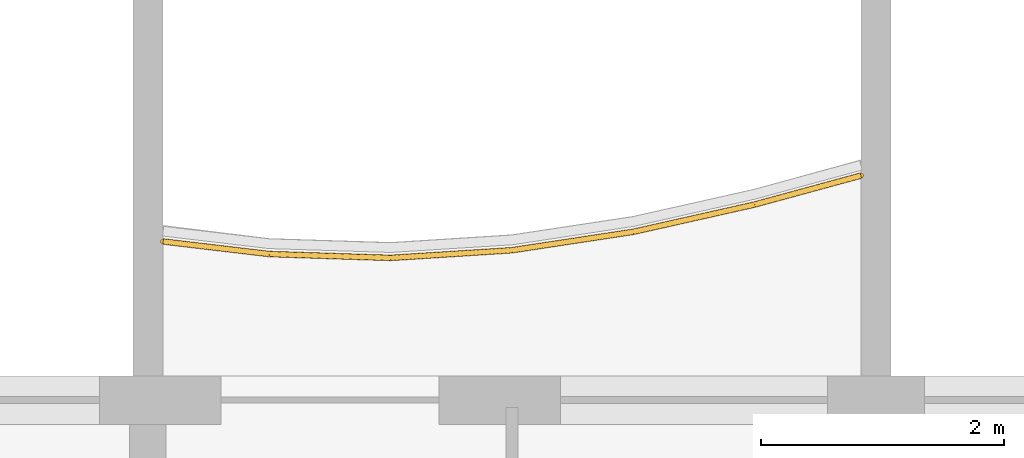
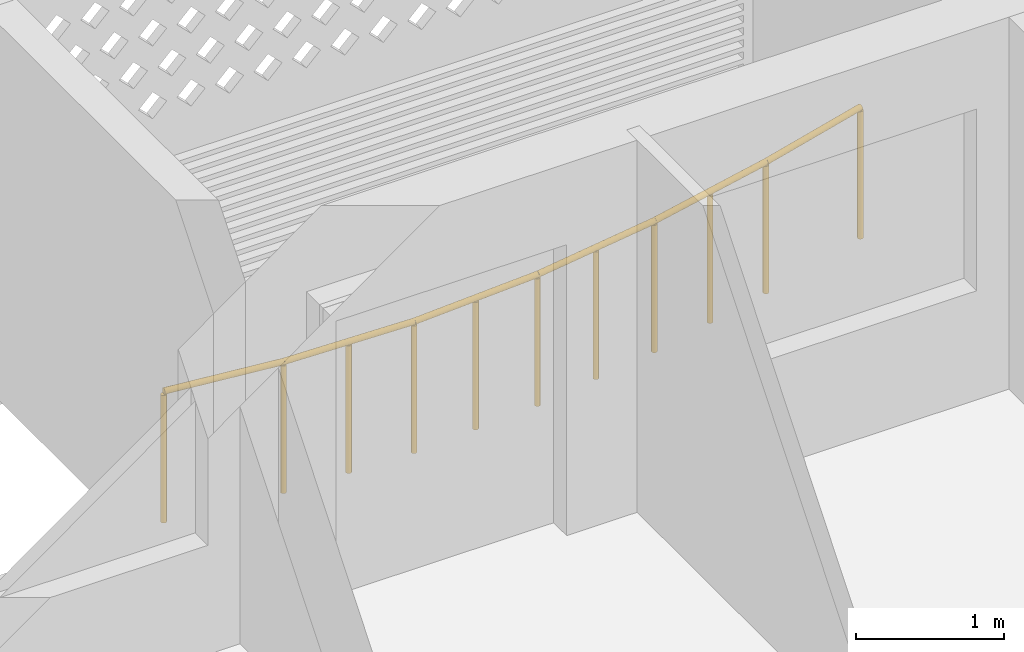
# One storey, part 25 of 32: 1 railing.
"""IFC4 building model written with IfcOpenShell, lengths in metres."""

from ifc_helpers import new_model, si_unit, direction, frame, origin, origin_2d, place, context, subcontext, project, spatial, circle, extrude, material, type_object, element, save


model = new_model("IFC4")

# Units and contexts
model_context = context("Model", 3, precision=1e-05, world=origin(), true_north=direction((0.0, 1.0)))
body_context = subcontext(model_context, "Body", "Model", "MODEL_VIEW")
ifc_project = project(units=[si_unit("LENGTHUNIT", "METRE"), si_unit("AREAUNIT", "SQUARE_METRE"), si_unit("VOLUMEUNIT", "CUBIC_METRE"), si_unit("PLANEANGLEUNIT", "RADIAN"), si_unit("MASSUNIT", "GRAM", prefix="KILO")], contexts=[model_context])

# Site, building, storey
site_placement = place(None, origin())
site = spatial("IfcSite", under=ifc_project, at=site_placement, CompositionType="ELEMENT")
building_placement = place(site_placement, origin())
building = spatial("IfcBuilding", under=site, at=building_placement, Name="Poui Terraces", CompositionType="ELEMENT")
storey_placement = place(building_placement, frame((0.0, 0.0, 125.699951171875)))
storey = spatial("IfcBuildingStorey", under=building, at=storey_placement, Name="L34", CompositionType="ELEMENT", Elevation=125.699951171875)

# Railing
ifc_material = material(Name="Painted steel fretwork", Category="steel")
railing_type = type_object("IfcRailingType", Name="BALCONY GUARD 1100", PredefinedType="GUARDRAIL", material=ifc_material)
railing_placement = place(storey_placement, frame((48.125, 43.70654296875, 0.0)))
element("IfcRailing", 1, at=railing_placement, inside=storey, type_object=railing_type, Name="BALCONY GUARD", PredefinedType="GUARDRAIL", context=body_context, shape_type="SweptSolid", body=[
    extrude(circle(Radius=0.02392578125, at=origin_2d()), frame((0.0, 0.0, 1.076171875), z_axis=(0.993074741363, -0.117484288599, 0.0), x_axis=(0.117484288599, 0.993074741363, 0.0)), (0.0, 0.0, 1.0), 0.881103515625),
    extrude(circle(Radius=0.02392578125, at=origin_2d()), frame((0.875, -0.103515625, 1.076171875), z_axis=(0.999496720941, -0.031722308038, 0.0), x_axis=(0.031722308038, 0.999496720941, 0.0)), (0.0, 0.0, 1.0), 1.00048828125),
    extrude(circle(Radius=0.02392578125, at=origin_2d()), frame((1.875, -0.13525390625, 1.076171875), z_axis=(0.998006805525, 0.063106387361, 0.0), x_axis=(-0.063106387361, 0.998006805525, 0.0)), (0.0, 0.0, 1.0), 1.001953125),
    extrude(circle(Radius=0.02392578125, at=origin_2d()), frame((2.875, -0.072021484375, 1.076171875), z_axis=(0.988665614785, 0.15013428037, 0.0), x_axis=(-0.15013428037, 0.988665614785, 0.0)), (0.0, 0.0, 1.0), 1.011474609375),
    extrude(circle(Radius=0.02392578125, at=origin_2d()), frame((3.875, 0.079833984375, 1.076171875), z_axis=(0.975640353268, 0.219376163418, 0.0), x_axis=(-0.219376163418, 0.975640353268, 0.0)), (0.0, 0.0, 1.0), 1.02490234375),
    extrude(circle(Radius=0.02392578125, at=origin_2d()), frame((4.875, 0.3046875, 1.076171875), z_axis=(0.964863154502, 0.26275291261, 0.0), x_axis=(-0.26275291261, 0.964863154502, 0.0)), (0.0, 0.0, 1.0), 0.906982421875),
    extrude(circle(Radius=0.02099609375, at=origin_2d()), origin(), (0.0, 0.0, 1.0), 1.052001953125),
    extrude(circle(Radius=0.02099609375, at=origin_2d()), frame((0.875, -0.103515625, 0.0)), (0.0, 0.0, 1.0), 1.052001953125),
    extrude(circle(Radius=0.02099609375, at=origin_2d()), frame((1.375, -0.119384765625, 0.0)), (0.0, 0.0, 1.0), 1.052001953125),
    extrude(circle(Radius=0.02099609375, at=origin_2d()), frame((1.875, -0.13525390625, 0.0)), (0.0, 0.0, 1.0), 1.052001953125),
    extrude(circle(Radius=0.02099609375, at=origin_2d()), frame((2.375, -0.103515625, 0.0)), (0.0, 0.0, 1.0), 1.052001953125),
    extrude(circle(Radius=0.02099609375, at=origin_2d()), frame((2.875, -0.072021484375, 0.0)), (0.0, 0.0, 1.0), 1.052001953125),
    extrude(circle(Radius=0.02099609375, at=origin_2d()), frame((3.375, 0.00390625, 0.0)), (0.0, 0.0, 1.0), 1.052001953125),
    extrude(circle(Radius=0.02099609375, at=origin_2d()), frame((3.875, 0.079833984375, 0.0)), (0.0, 0.0, 1.0), 1.052001953125),
    extrude(circle(Radius=0.02099609375, at=origin_2d()), frame((4.375, 0.1923828125, 0.0)), (0.0, 0.0, 1.0), 1.052001953125),
    extrude(circle(Radius=0.02099609375, at=origin_2d()), frame((4.875, 0.3046875, 0.0)), (0.0, 0.0, 1.0), 1.052001953125),
    extrude(circle(Radius=0.02099609375, at=origin_2d()), frame((5.75, 0.54296875, 0.0)), (0.0, 0.0, 1.0), 1.052001953125),
])

save(model, "model.ifc")
